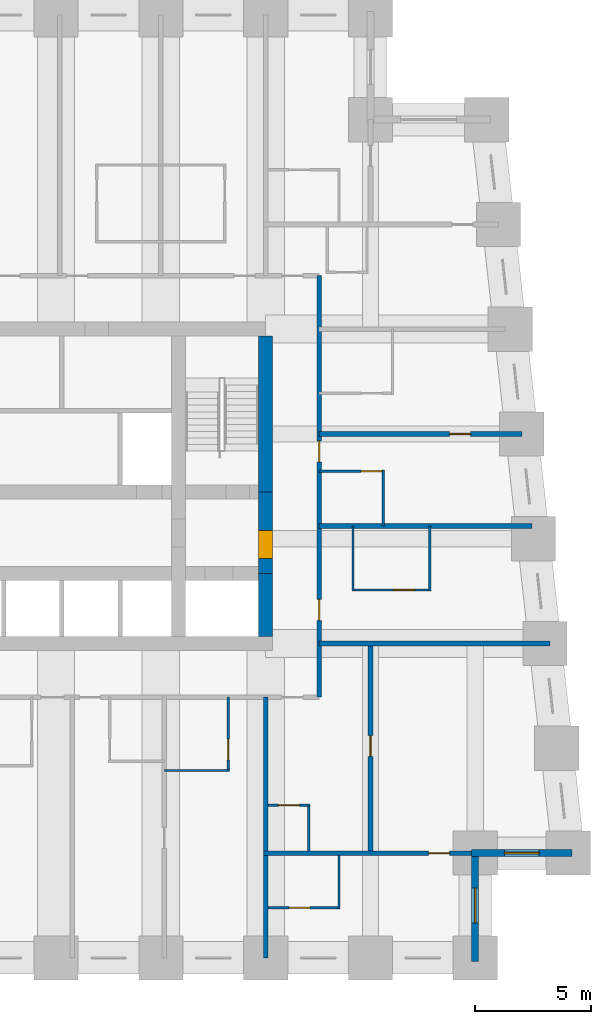
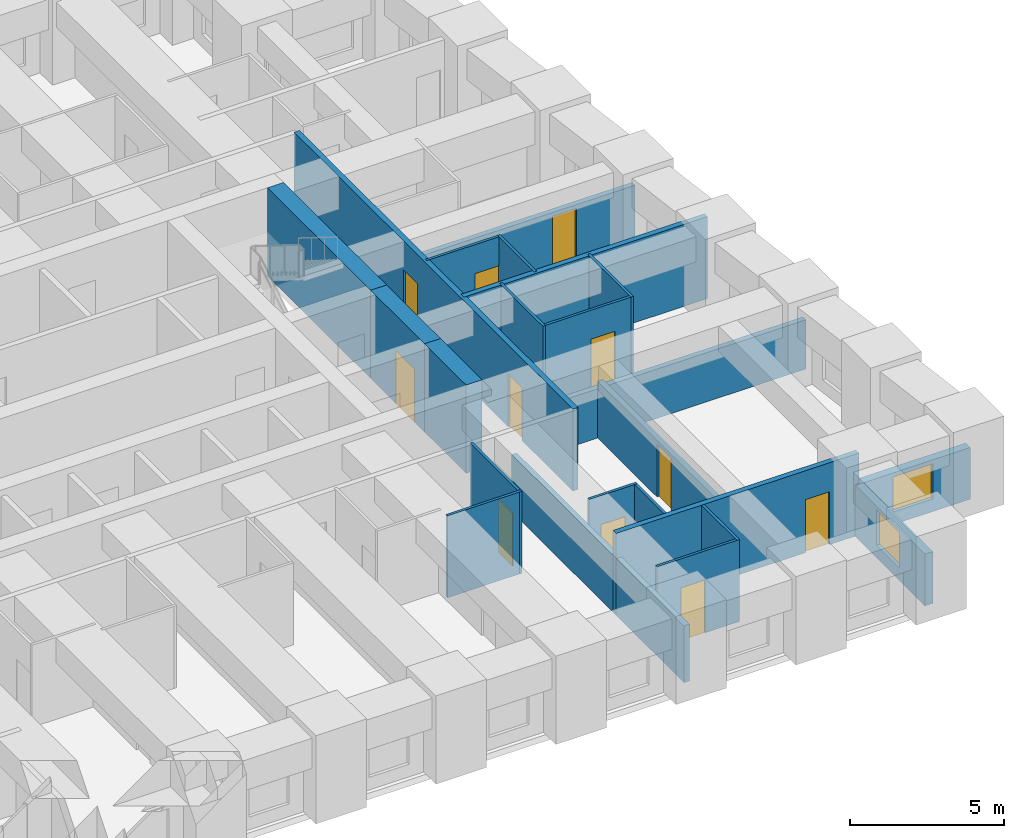
# One storey, part 5 of 8: 23 walls, 11 doors, 2 windows, 13 openings.
"""IFC4 building model written with IfcOpenShell, lengths in metres."""

from ifc_helpers import new_model, si_unit, direction, frame, frame_2d, origin, place, context, subcontext, project, spatial, rectangle, extrude, material, layer, layer_set, type_object, element, fill, save


model = new_model("IFC4")

# Units and contexts
model_context = context("Model", 3, precision=1e-05, world=origin(), true_north=direction((0.0, 1.0)))
body_context = subcontext(model_context, "Body", "Model", "MODEL_VIEW")
ifc_project = project(units=[si_unit("LENGTHUNIT", "METRE"), si_unit("AREAUNIT", "SQUARE_METRE"), si_unit("VOLUMEUNIT", "CUBIC_METRE"), si_unit("PLANEANGLEUNIT", "RADIAN"), si_unit("MASSUNIT", "GRAM", prefix="KILO")], contexts=[model_context])

# Site, building, storey
site_placement = place(None, origin())
site = spatial("IfcSite", under=ifc_project, at=site_placement, CompositionType="ELEMENT")
building_placement = place(site_placement, origin())
building = spatial("IfcBuilding", under=site, at=building_placement, Name="Kilele Tower Hotel", CompositionType="ELEMENT")
storey_placement = place(building_placement, frame((0.0, 0.0, 71.699951171875)))
storey = spatial("IfcBuildingStorey", under=building, at=storey_placement, Name="L17", CompositionType="ELEMENT", Elevation=71.699951171875)

# Wall
ifc_material_1 = material(Name="Moisture-resistant board")
ifc_layer_1 = layer(ifc_material_1, 0.10009765625)
ifc_layer_set_1 = layer_set([ifc_layer_1], Name="Moisture-resistant board")
wall_type_1 = type_object("IfcWallType", Name="Bathroom partition 100", PredefinedType="PLUMBINGWALL", material=ifc_layer_set_1)
wall_1_placement = place(storey_placement, frame((31.64990234375, 8.050048828125, 0.0), z_axis=(0.0, 0.0, 1.0), x_axis=(1.0, 0.0, 0.0)))
element("IfcWall", 1, at=wall_1_placement, inside=storey, type_object=wall_type_1, Name="Bathroom partition 100 L17", PredefinedType="PLUMBINGWALL", context=body_context, shape_type="SweptSolid", body=[
    extrude(rectangle(XDim=2.800048828125, YDim=0.10009765625, at=frame_2d((1.39990234375, 0.0))), origin(), (0.0, 0.0, 1.0), 3.25),
])

# Wall, opening, door
wall_2_placement = place(storey_placement, frame((34.39990234375, 11.199951171875, 0.0), z_axis=(0.0, 0.0, 1.0), x_axis=(0.0, -1.0, 0.0)))
wall_2 = element("IfcWall", 2, at=wall_2_placement, inside=storey, type_object=wall_type_1, Name="Bathroom partition 100 L17", PredefinedType="PLUMBINGWALL", context=body_context, shape_type="SweptSolid", body=[
    extrude(rectangle(XDim=3.199951171875, YDim=0.10009765625, at=frame_2d((1.60009765625, 0.0))), origin(), (0.0, 0.0, 1.0), 3.25),
])
opening_1_placement = place(wall_2_placement, frame((1.800048828125, 0.0, 0.0)))
opening_1 = element("IfcOpeningElement", 3, at=opening_1_placement, cuts=wall_2, Name="Opening D2A", PredefinedType="OPENING", context=body_context, shape_type="SweptSolid", body=[
    extrude(rectangle(XDim=0.89990234375, YDim=2.10009765625, at=frame_2d((0.449951171875, 1.050048828125))), frame((0.0, 0.06005859375, 0.0), z_axis=(0.0, -1.0, 0.0), x_axis=(1.0, 0.0, 0.0)), (0.0, 0.0, 1.0), 0.1201171875),
])
ifc_material_2 = material(Name="Timber door leaf in hardwood frame", Category="wood")
door_type_1 = type_object("IfcDoorType", Name="Bathroom door 900", OperationType="SINGLE_SWING_LEFT", PredefinedType="DOOR", material=ifc_material_2)
door_1_placement = place(opening_1_placement, origin())
door_1 = element("IfcDoor", 4, at=door_1_placement, inside=storey, type_object=door_type_1, Name="Bathroom door 1705B", OperationType="SINGLE_SWING_RIGHT", OverallHeight=2.10009765625, OverallWidth=0.89990234375, PredefinedType="DOOR", context=body_context, shape_type="SweptSolid", body=[
    extrude(rectangle(XDim=0.89990234375, YDim=2.10009765625, at=frame_2d((0.449951171875, 1.050048828125))), frame((0.0, 0.02490234375, 0.0), z_axis=(0.0, -1.0, 0.0), x_axis=(1.0, 0.0, 0.0)), (0.0, 0.0, 1.0), 0.050048828125),
])
fill(opening_1, door_1)

# Walls
for number, where, z_axis, x_axis, name in (
    (5, (39.75, 15.75, 0.0), (0.0, 0.0, 1.0), (0.0, 1.0, 0.0), "Bathroom partition 100 L17"),
    (6, (43.050048828125, 15.75, 0.0), (0.0, 0.0, 1.0), (0.0, 1.0, 0.0), "Bathroom partition 100 L17"),
):
    element("IfcWall", number, at=place(storey_placement, frame(where, z_axis=z_axis, x_axis=x_axis)), inside=storey, type_object=wall_type_1, Name=name, PredefinedType="PLUMBINGWALL", context=body_context, shape_type="SweptSolid", body=[
        extrude(rectangle(XDim=2.800048828125, YDim=0.10009765625, at=frame_2d((1.39990234375, 0.0))), origin(), (0.0, 0.0, 1.0), 3.25),
    ])

# Wall, opening, door
wall_3_placement = place(storey_placement, frame((39.699951171875, 15.800048828125, 0.0), z_axis=(0.0, 0.0, 1.0), x_axis=(1.0, 0.0, 0.0)))
wall_3 = element("IfcWall", 7, at=wall_3_placement, inside=storey, type_object=wall_type_1, Name="Bathroom partition 100 L17", PredefinedType="PLUMBINGWALL", context=body_context, shape_type="SweptSolid", body=[
    extrude(rectangle(XDim=3.400146484375, YDim=0.10009765625, at=frame_2d((1.7001953125, 0.0))), origin(), (0.0, 0.0, 1.0), 3.25),
])
opening_2_placement = place(wall_3_placement, frame((2.699951171875, 0.0, 0.0), z_axis=(0.0, 0.0, 1.0), x_axis=(-1.0, 0.0, 0.0)))
opening_2 = element("IfcOpeningElement", 8, at=opening_2_placement, cuts=wall_3, Name="Opening D2A", PredefinedType="OPENING", context=body_context, shape_type="SweptSolid", body=[
    extrude(rectangle(XDim=0.89990234375, YDim=2.10009765625, at=frame_2d((0.449951171875, 1.050048828125))), frame((0.0, 0.06005859375, 0.0), z_axis=(0.0, -1.0, 0.0), x_axis=(1.0, 0.0, 0.0)), (0.0, 0.0, 1.0), 0.1201171875),
])
door_2_placement = place(opening_2_placement, origin())
door_2 = element("IfcDoor", 9, at=door_2_placement, inside=storey, type_object=door_type_1, Name="Bathroom door 1706B", OperationType="SINGLE_SWING_LEFT", OverallHeight=2.10009765625, OverallWidth=0.89990234375, PredefinedType="DOOR", context=body_context, shape_type="SweptSolid", body=[
    extrude(rectangle(XDim=0.89990234375, YDim=2.10009765625, at=frame_2d((0.449951171875, 1.050048828125))), frame((0.0, 0.02490234375, 0.0), z_axis=(0.0, -1.0, 0.0), x_axis=(1.0, 0.0, 0.0)), (0.0, 0.0, 1.0), 0.050048828125),
])
fill(opening_2, door_2)

# Wall
wall_4_placement = place(storey_placement, frame((41.050048828125, 18.550048828125, 0.0), z_axis=(0.0, 0.0, 1.0), x_axis=(0.0, 1.0, 0.0)))
element("IfcWall", 10, at=wall_4_placement, inside=storey, type_object=wall_type_1, Name="Bathroom partition 100 L17", PredefinedType="PLUMBINGWALL", context=body_context, shape_type="SweptSolid", body=[
    extrude(rectangle(XDim=2.39990234375, YDim=0.10009765625, at=frame_2d((1.199951171875, 0.0))), origin(), (0.0, 0.0, 1.0), 3.25),
])

# Wall, opening, door
wall_5_placement = place(storey_placement, frame((38.300048828125, 20.89990234375, 0.0), z_axis=(0.0, 0.0, 1.0), x_axis=(1.0, 0.0, 0.0)))
wall_5 = element("IfcWall", 11, at=wall_5_placement, inside=storey, type_object=wall_type_1, Name="Bathroom partition 100 L17", PredefinedType="PLUMBINGWALL", context=body_context, shape_type="SweptSolid", body=[
    extrude(rectangle(XDim=2.800048828125, YDim=0.10009765625, at=frame_2d((1.39990234375, 0.0))), origin(), (0.0, 0.0, 1.0), 3.25),
])
opening_3_placement = place(wall_5_placement, frame((1.800048828125, 0.0, 0.0)))
opening_3 = element("IfcOpeningElement", 12, at=opening_3_placement, cuts=wall_5, Name="Opening D2A", PredefinedType="OPENING", context=body_context, shape_type="SweptSolid", body=[
    extrude(rectangle(XDim=0.89990234375, YDim=2.10009765625, at=frame_2d((0.449951171875, 1.050048828125))), frame((0.0, 0.06005859375, 0.0), z_axis=(0.0, -1.0, 0.0), x_axis=(1.0, 0.0, 0.0)), (0.0, 0.0, 1.0), 0.1201171875),
])
door_3_placement = place(opening_3_placement, origin())
door_3 = element("IfcDoor", 13, at=door_3_placement, inside=storey, type_object=door_type_1, Name="Bathroom door 1707B", OperationType="SINGLE_SWING_RIGHT", OverallHeight=2.10009765625, OverallWidth=0.89990234375, PredefinedType="DOOR", context=body_context, shape_type="SweptSolid", body=[
    extrude(rectangle(XDim=0.89990234375, YDim=2.10009765625, at=frame_2d((0.449951171875, 1.050048828125))), frame((0.0, 0.02490234375, 0.0), z_axis=(0.0, -1.0, 0.0), x_axis=(1.0, 0.0, 0.0)), (0.0, 0.0, 1.0), 0.050048828125),
])
fill(opening_3, door_3)

# Wall
wall_6_placement = place(storey_placement, frame((37.85009765625, 4.60009765625, 0.0), z_axis=(0.0, 0.0, 1.0), x_axis=(0.0, 1.0, 0.0)))
element("IfcWall", 14, at=wall_6_placement, inside=storey, type_object=wall_type_1, Name="Bathroom partition 100 L17", PredefinedType="PLUMBINGWALL", context=body_context, shape_type="SweptSolid", body=[
    extrude(rectangle(XDim=2.0, YDim=0.10009765625, at=frame_2d((1.0, 0.0))), origin(), (0.0, 0.0, 1.0), 3.25),
])

# Wall, opening, door
wall_7_placement = place(storey_placement, frame((36.10009765625, 6.550048828125, 0.0), z_axis=(0.0, 0.0, 1.0), x_axis=(1.0, 0.0, 0.0)))
wall_7 = element("IfcWall", 15, at=wall_7_placement, inside=storey, type_object=wall_type_1, Name="Bathroom partition 100 L17", PredefinedType="PLUMBINGWALL", context=body_context, shape_type="SweptSolid", body=[
    extrude(rectangle(XDim=1.7998046875, YDim=0.10009765625, at=frame_2d((0.89990234375, 0.0))), origin(), (0.0, 0.0, 1.0), 3.25),
])
opening_4_placement = place(wall_7_placement, frame((0.449951171875, 0.0, 0.0)))
opening_4 = element("IfcOpeningElement", 16, at=opening_4_placement, cuts=wall_7, Name="Opening D2A", PredefinedType="OPENING", context=body_context, shape_type="SweptSolid", body=[
    extrude(rectangle(XDim=0.89990234375, YDim=2.10009765625, at=frame_2d((0.449951171875, 1.050048828125))), frame((0.0, 0.06005859375, 0.0), z_axis=(0.0, -1.0, 0.0), x_axis=(1.0, 0.0, 0.0)), (0.0, 0.0, 1.0), 0.1201171875),
])
door_4_placement = place(opening_4_placement, origin())
door_4 = element("IfcDoor", 17, at=door_4_placement, inside=storey, type_object=door_type_1, Name="Bathroom door 1720P", OperationType="SINGLE_SWING_LEFT", OverallHeight=2.10009765625, OverallWidth=0.89990234375, PredefinedType="DOOR", context=body_context, shape_type="SweptSolid", body=[
    extrude(rectangle(XDim=0.89990234375, YDim=2.10009765625, at=frame_2d((0.449951171875, 1.050048828125))), frame((0.0, 0.02490234375, 0.0), z_axis=(0.0, -1.0, 0.0), x_axis=(1.0, 0.0, 0.0)), (0.0, 0.0, 1.0), 0.050048828125),
])
fill(opening_4, door_4)

# Wall
wall_8_placement = place(storey_placement, frame((39.14990234375, 4.39990234375, 0.0), z_axis=(0.0, 0.0, 1.0), x_axis=(0.0, -1.0, 0.0)))
element("IfcWall", 18, at=wall_8_placement, inside=storey, type_object=wall_type_1, Name="Bathroom partition 100 L17", PredefinedType="PLUMBINGWALL", context=body_context, shape_type="SweptSolid", body=[
    extrude(rectangle(XDim=2.2998046875, YDim=0.10009765625, at=frame_2d((1.14990234375, 0.0))), origin(), (0.0, 0.0, 1.0), 3.25),
])

# Wall, opening, door
wall_9_placement = place(storey_placement, frame((36.10009765625, 2.14990234375, 0.0), z_axis=(0.0, 0.0, 1.0), x_axis=(1.0, 0.0, 0.0)))
wall_9 = element("IfcWall", 19, at=wall_9_placement, inside=storey, type_object=wall_type_1, Name="Bathroom partition 100 L17", PredefinedType="PLUMBINGWALL", context=body_context, shape_type="SweptSolid", body=[
    extrude(rectangle(XDim=3.099853515625, YDim=0.10009765625, at=frame_2d((1.5498046875, 0.0))), origin(), (0.0, 0.0, 1.0), 3.25),
])
opening_5_placement = place(wall_9_placement, frame((1.7998046875, 0.0, 0.0), z_axis=(0.0, 0.0, 1.0), x_axis=(-1.0, 0.0, 0.0)))
opening_5 = element("IfcOpeningElement", 20, at=opening_5_placement, cuts=wall_9, Name="Opening D2A", PredefinedType="OPENING", context=body_context, shape_type="SweptSolid", body=[
    extrude(rectangle(XDim=0.89990234375, YDim=2.10009765625, at=frame_2d((0.449951171875, 1.050048828125))), frame((0.0, 0.06005859375, 0.0), z_axis=(0.0, -1.0, 0.0), x_axis=(1.0, 0.0, 0.0)), (0.0, 0.0, 1.0), 0.1201171875),
])
door_5_placement = place(opening_5_placement, origin())
door_5 = element("IfcDoor", 21, at=door_5_placement, inside=storey, type_object=door_type_1, Name="Bathroom door 1722B", OperationType="SINGLE_SWING_RIGHT", OverallHeight=2.10009765625, OverallWidth=0.89990234375, PredefinedType="DOOR", context=body_context, shape_type="SweptSolid", body=[
    extrude(rectangle(XDim=0.89990234375, YDim=2.10009765625, at=frame_2d((0.449951171875, 1.050048828125))), frame((0.0, 0.02490234375, 0.0), z_axis=(0.0, -1.0, 0.0), x_axis=(1.0, 0.0, 0.0)), (0.0, 0.0, 1.0), 0.050048828125),
])
fill(opening_5, door_5)

# Wall
ifc_material_3 = material(Name="Concrete C60/75", Category="concrete")
ifc_layer_2 = layer(ifc_material_3, 0.60009765625)
ifc_layer_set_2 = layer_set([ifc_layer_2], Name="Concrete C60/75")
wall_type_2 = type_object("IfcWallType", Name="Core wall 600 C60/75", PredefinedType="SHEAR", material=ifc_layer_set_2)
wall_10_placement = place(storey_placement, frame((36.0, 13.800048828125, 0.0), z_axis=(0.0, 0.0, 1.0), x_axis=(0.0, 1.0, 0.0)))
element("IfcWall", 22, at=wall_10_placement, inside=storey, type_object=wall_type_2, Name="Core wall E1 L17", PredefinedType="SHEAR", context=body_context, shape_type="SweptSolid", body=[
    extrude(rectangle(XDim=2.699951171875, YDim=0.60009765625, at=frame_2d((1.35009765625, 0.0))), origin(), (0.0, 0.0, 1.0), 3.5),
])

# Wall, opening, door
wall_11_placement = place(storey_placement, frame((36.0, 16.5, 0.0), z_axis=(0.0, 0.0, 1.0), x_axis=(0.0, 1.0, 0.0)))
wall_11 = element("IfcWall", 23, at=wall_11_placement, inside=storey, type_object=wall_type_2, Name="Core wall E2 L17", PredefinedType="SHEAR", context=body_context, shape_type="SweptSolid", body=[
    extrude(rectangle(XDim=3.5, YDim=0.60009765625, at=frame_2d((1.75, 0.0))), origin(), (0.0, 0.0, 1.0), 3.5),
])
opening_6_placement = place(wall_11_placement, frame((0.64990234375, 0.0, 0.0)))
opening_6 = element("IfcOpeningElement", 24, at=opening_6_placement, cuts=wall_11, Name="Opening D4", PredefinedType="OPENING", context=body_context, shape_type="SweptSolid", body=[
    extrude(rectangle(XDim=1.199951171875, YDim=2.10009765625, at=frame_2d((0.60009765625, 1.050048828125))), frame((0.0, 0.31005859375, 0.0), z_axis=(0.0, -1.0, 0.0), x_axis=(1.0, 0.0, 0.0)), (0.0, 0.0, 1.0), 0.6201171875),
])
ifc_material_4 = material(Name="Timber door leaf in hardwood frame", Category="wood")
door_type_2 = type_object("IfcDoorType", Name="Firefighting lobby door 1200", OperationType="SINGLE_SWING_LEFT", PredefinedType="DOOR", material=ifc_material_4)
door_6_placement = place(opening_6_placement, origin())
door_6 = element("IfcDoor", 25, at=door_6_placement, inside=storey, type_object=door_type_2, Name="Lobby door L17", OperationType="SINGLE_SWING_LEFT", OverallHeight=2.10009765625, OverallWidth=1.199951171875, PredefinedType="DOOR", context=body_context, shape_type="SweptSolid", body=[
    extrude(rectangle(XDim=1.199951171875, YDim=2.10009765625, at=frame_2d((0.60009765625, 1.050048828125))), frame((0.0, 0.2998046875, 0.0), z_axis=(0.0, -1.0, 0.0), x_axis=(1.0, 0.0, 0.0)), (0.0, 0.0, 1.0), 0.599609375),
])
fill(opening_6, door_6)

# Wall
wall_12_placement = place(storey_placement, frame((36.0, 20.0, 0.0), z_axis=(0.0, 0.0, 1.0), x_axis=(0.0, 1.0, 0.0)))
element("IfcWall", 26, at=wall_12_placement, inside=storey, type_object=wall_type_2, Name="Core wall E3 L17", PredefinedType="SHEAR", context=body_context, shape_type="SweptSolid", body=[
    extrude(rectangle(XDim=6.699951171875, YDim=0.60009765625, at=frame_2d((3.35009765625, 0.0))), origin(), (0.0, 0.0, 1.0), 3.5),
])

# Wall, openings, doors
ifc_material_5 = material(Name="Blockwork, plastered both sides", Category="masonry")
ifc_layer_3 = layer(ifc_material_5, 0.199951171875)
ifc_layer_set_3 = layer_set([ifc_layer_3], Name="Blockwork, plastered both sides")
wall_type_3 = type_object("IfcWallType", Name="Corridor wall 200", PredefinedType="PARTITIONING", material=ifc_layer_set_3)
wall_13_placement = place(storey_placement, frame((38.300048828125, 11.199951171875, 0.0), z_axis=(0.0, 0.0, 1.0), x_axis=(0.0, 1.0, 0.0)))
wall_13 = element("IfcWall", 27, at=wall_13_placement, inside=storey, type_object=wall_type_3, Name="Corridor wall 200 L17", PredefinedType="PARTITIONING", context=body_context, shape_type="SweptSolid", body=[
    extrude(rectangle(XDim=18.10009765625, YDim=0.199951171875, at=frame_2d((9.050048828125, 0.0))), origin(), (0.0, 0.0, 1.0), 3.25),
])
opening_7_placement = place(wall_13_placement, frame((4.199951171875, 0.0, 0.0), z_axis=(0.0, 0.0, 1.0), x_axis=(-1.0, 0.0, 0.0)))
opening_7 = element("IfcOpeningElement", 28, at=opening_7_placement, cuts=wall_13, Name="Opening D1", PredefinedType="OPENING", context=body_context, shape_type="SweptSolid", body=[
    extrude(rectangle(XDim=0.89990234375, YDim=2.10009765625, at=frame_2d((0.449951171875, 1.050048828125))), frame((0.0, 0.10986328125, 0.0), z_axis=(0.0, -1.0, 0.0), x_axis=(1.0, 0.0, 0.0)), (0.0, 0.0, 1.0), 0.219970703125),
])
opening_8_placement = place(wall_13_placement, frame((11.0, 0.0, 0.0), z_axis=(0.0, 0.0, 1.0), x_axis=(-1.0, 0.0, 0.0)))
opening_8 = element("IfcOpeningElement", 29, at=opening_8_placement, cuts=wall_13, Name="Opening D1", PredefinedType="OPENING", context=body_context, shape_type="SweptSolid", body=[
    extrude(rectangle(XDim=0.89990234375, YDim=2.10009765625, at=frame_2d((0.449951171875, 1.050048828125))), frame((0.0, 0.10986328125, 0.0), z_axis=(0.0, -1.0, 0.0), x_axis=(1.0, 0.0, 0.0)), (0.0, 0.0, 1.0), 0.219970703125),
])
ifc_material_6 = material(Name="Timber door leaf in hardwood frame", Category="wood")
door_type_3 = type_object("IfcDoorType", Name="Guest room entrance door 900", OperationType="SINGLE_SWING_LEFT", PredefinedType="DOOR", material=ifc_material_6)
door_7_placement = place(opening_7_placement, origin())
door_7 = element("IfcDoor", 30, at=door_7_placement, inside=storey, type_object=door_type_3, Name="Room entrance 1706", OperationType="SINGLE_SWING_RIGHT", OverallHeight=2.10009765625, OverallWidth=0.89990234375, PredefinedType="DOOR", context=body_context, shape_type="SweptSolid", body=[
    extrude(rectangle(XDim=0.89990234375, YDim=2.10009765625, at=frame_2d((0.449951171875, 1.050048828125))), frame((0.0, 0.02490234375, 0.0), z_axis=(0.0, -1.0, 0.0), x_axis=(1.0, 0.0, 0.0)), (0.0, 0.0, 1.0), 0.050048828125),
])
fill(opening_7, door_7)
door_8_placement = place(opening_8_placement, origin())
door_8 = element("IfcDoor", 31, at=door_8_placement, inside=storey, type_object=door_type_3, Name="Room entrance 1707", OperationType="SINGLE_SWING_LEFT", OverallHeight=2.10009765625, OverallWidth=0.89990234375, PredefinedType="DOOR", context=body_context, shape_type="SweptSolid", body=[
    extrude(rectangle(XDim=0.89990234375, YDim=2.10009765625, at=frame_2d((0.449951171875, 1.050048828125))), frame((0.0, 0.02490234375, 0.0), z_axis=(0.0, -1.0, 0.0), x_axis=(1.0, 0.0, 0.0)), (0.0, 0.0, 1.0), 0.050048828125),
])
fill(opening_8, door_8)

# Wall, opening, door
ifc_material_7 = material(Name="Blockwork, plastered both sides", Category="masonry")
ifc_layer_4 = layer(ifc_material_7, 0.199951171875)
ifc_layer_set_4 = layer_set([ifc_layer_4], Name="Blockwork, plastered both sides")
wall_type_4 = type_object("IfcWallType", Name="Partition wall 200", PredefinedType="PARTITIONING", material=ifc_layer_set_4)
wall_14_placement = place(storey_placement, frame((40.5, 4.60009765625, 0.0), z_axis=(0.0, 0.0, 1.0), x_axis=(0.0, 1.0, 0.0)))
wall_14 = element("IfcWall", 32, at=wall_14_placement, inside=storey, type_object=wall_type_4, Name="Partition wall 200 L17", PredefinedType="PARTITIONING", context=body_context, shape_type="SweptSolid", body=[
    extrude(rectangle(XDim=8.7998046875, YDim=0.199951171875, at=frame_2d((4.39990234375, 0.0))), origin(), (0.0, 0.0, 1.0), 2.25),
])
opening_9_placement = place(wall_14_placement, frame((4.050048828125, 0.0, 0.0)))
opening_9 = element("IfcOpeningElement", 33, at=opening_9_placement, cuts=wall_14, Name="Opening D3", PredefinedType="OPENING", context=body_context, shape_type="SweptSolid", body=[
    extrude(rectangle(XDim=0.89990234375, YDim=2.10009765625, at=frame_2d((0.449951171875, 1.050048828125))), frame((0.0, 0.10986328125, 0.0), z_axis=(0.0, -1.0, 0.0), x_axis=(1.0, 0.0, 0.0)), (0.0, 0.0, 1.0), 0.219970703125),
])
ifc_material_8 = material(Name="Timber door leaf in hardwood frame", Category="wood")
door_type_4 = type_object("IfcDoorType", Name="Suite internal door 900", OperationType="SINGLE_SWING_LEFT", PredefinedType="DOOR", material=ifc_material_8)
door_9_placement = place(opening_9_placement, origin())
door_9 = element("IfcDoor", 34, at=door_9_placement, inside=storey, type_object=door_type_4, Name="Suite door 1721", OperationType="SINGLE_SWING_RIGHT", OverallHeight=2.10009765625, OverallWidth=0.89990234375, PredefinedType="DOOR", context=body_context, shape_type="SweptSolid", body=[
    extrude(rectangle(XDim=0.89990234375, YDim=2.10009765625, at=frame_2d((0.449951171875, 1.050048828125))), frame((0.0, 0.02490234375, 0.0), z_axis=(0.0, -1.0, 0.0), x_axis=(1.0, 0.0, 0.0)), (0.0, 0.0, 1.0), 0.050048828125),
])
fill(opening_9, door_9)

# Wall
ifc_material_9 = material(Name="Blockwork, plastered both sides", Category="masonry")
ifc_layer_5 = layer(ifc_material_9, 0.199951171875)
ifc_layer_set_5 = layer_set([ifc_layer_5], Name="Blockwork, plastered both sides")
wall_type_5 = type_object("IfcWallType", Name="Party wall 200", PredefinedType="PARTITIONING", material=ifc_layer_set_5)
wall_15_placement = place(storey_placement, frame((38.300048828125, 18.550048828125, 0.0), z_axis=(0.0, 0.0, 1.0), x_axis=(1.0, 0.0, 0.0)))
element("IfcWall", 35, at=wall_15_placement, inside=storey, type_object=wall_type_5, Name="Party wall 200 L17", PredefinedType="PARTITIONING", context=body_context, shape_type="SweptSolid", body=[
    extrude(rectangle(XDim=9.137939453125, YDim=0.199951171875, at=frame_2d((4.56884765625, 0.0))), origin(), (0.0, 0.0, 1.0), 3.25),
])

# Wall, opening, door
wall_16_placement = place(storey_placement, frame((38.300048828125, 22.5, 0.0), z_axis=(0.0, 0.0, 1.0), x_axis=(1.0, 0.0, 0.0)))
wall_16 = element("IfcWall", 36, at=wall_16_placement, inside=storey, type_object=wall_type_5, Name="Party wall 200 L17", PredefinedType="PARTITIONING", context=body_context, shape_type="SweptSolid", body=[
    extrude(rectangle(XDim=8.698974609375, YDim=0.199951171875, at=frame_2d((4.349609375, 0.0))), origin(), (0.0, 0.0, 1.0), 2.25),
])
opening_10_placement = place(wall_16_placement, frame((5.60009765625, 0.0, 0.0)))
opening_10 = element("IfcOpeningElement", 37, at=opening_10_placement, cuts=wall_16, Name="Opening D3", PredefinedType="OPENING", context=body_context, shape_type="SweptSolid", body=[
    extrude(rectangle(XDim=0.89990234375, YDim=2.10009765625, at=frame_2d((0.449951171875, 1.050048828125))), frame((0.0, 0.10986328125, 0.0), z_axis=(0.0, -1.0, 0.0), x_axis=(1.0, 0.0, 0.0)), (0.0, 0.0, 1.0), 0.219970703125),
])
door_10_placement = place(opening_10_placement, origin())
door_10 = element("IfcDoor", 38, at=door_10_placement, inside=storey, type_object=door_type_4, Name="Suite door 1708", OperationType="SINGLE_SWING_RIGHT", OverallHeight=2.10009765625, OverallWidth=0.89990234375, PredefinedType="DOOR", context=body_context, shape_type="SweptSolid", body=[
    extrude(rectangle(XDim=0.89990234375, YDim=2.10009765625, at=frame_2d((0.449951171875, 1.050048828125))), frame((0.0, 0.02490234375, 0.0), z_axis=(0.0, -1.0, 0.0), x_axis=(1.0, 0.0, 0.0)), (0.0, 0.0, 1.0), 0.050048828125),
])
fill(opening_10, door_10)

# Walls
wall_17_placement = place(storey_placement, frame((38.300048828125, 13.5, 0.0), z_axis=(0.0, 0.0, 1.0), x_axis=(1.0, 0.0, 0.0)))
element("IfcWall", 39, at=wall_17_placement, inside=storey, type_object=wall_type_5, Name="Party wall 200 L17", PredefinedType="PARTITIONING", context=body_context, shape_type="SweptSolid", body=[
    extrude(rectangle(XDim=9.921142578125, YDim=0.199951171875, at=frame_2d((4.96044921875, 0.0))), origin(), (0.0, 0.0, 1.0), 1.949951171875),
])
wall_18_placement = place(storey_placement, frame((36.0, 11.199951171875, 0.0), z_axis=(0.0, 0.0, 1.0), x_axis=(0.0, -1.0, 0.0)))
element("IfcWall", 40, at=wall_18_placement, inside=storey, type_object=wall_type_5, Name="Party wall 200 L17", PredefinedType="PARTITIONING", context=body_context, shape_type="SweptSolid", body=[
    extrude(rectangle(XDim=11.199951171875, YDim=0.199951171875, at=frame_2d((5.60009765625, 0.0))), origin(), (0.0, 0.0, 1.0), 2.25),
])

# Wall, opening, door
wall_19_placement = place(storey_placement, frame((35.89990234375, 4.5, 0.0), z_axis=(0.0, 0.0, 1.0), x_axis=(1.0, 0.0, 0.0)))
wall_19 = element("IfcWall", 41, at=wall_19_placement, inside=storey, type_object=wall_type_5, Name="Party wall 200 L17", PredefinedType="PARTITIONING", context=body_context, shape_type="SweptSolid", body=[
    extrude(rectangle(XDim=9.10009765625, YDim=0.199951171875, at=frame_2d((4.550048828125, 0.0))), origin(), (0.0, 0.0, 1.0), 3.25),
])
opening_11_placement = place(wall_19_placement, frame((7.10009765625, 0.0, 0.0)))
opening_11 = element("IfcOpeningElement", 42, at=opening_11_placement, cuts=wall_19, Name="Opening D3", PredefinedType="OPENING", context=body_context, shape_type="SweptSolid", body=[
    extrude(rectangle(XDim=0.89990234375, YDim=2.10009765625, at=frame_2d((0.449951171875, 1.050048828125))), frame((0.0, 0.10986328125, 0.0), z_axis=(0.0, -1.0, 0.0), x_axis=(1.0, 0.0, 0.0)), (0.0, 0.0, 1.0), 0.219970703125),
])
door_11_placement = place(opening_11_placement, origin())
door_11 = element("IfcDoor", 43, at=door_11_placement, inside=storey, type_object=door_type_4, Name="Suite door 1722", OperationType="SINGLE_SWING_RIGHT", OverallHeight=2.10009765625, OverallWidth=0.89990234375, PredefinedType="DOOR", context=body_context, shape_type="SweptSolid", body=[
    extrude(rectangle(XDim=0.89990234375, YDim=2.10009765625, at=frame_2d((0.449951171875, 1.050048828125))), frame((0.0, 0.02490234375, 0.0), z_axis=(0.0, -1.0, 0.0), x_axis=(1.0, 0.0, 0.0)), (0.0, 0.0, 1.0), 0.050048828125),
])
fill(opening_11, door_11)

# Wall, opening, window
ifc_material_10 = material(Name="Concrete C40/50 precast", Category="concrete")
ifc_layer_6 = layer(ifc_material_10, 0.260009765625, Name="Precast backing", Category="LoadBearing")
ifc_material_11 = material(Name="Reconstituted stone finish", Category="masonry")
ifc_layer_7 = layer(ifc_material_11, 0.0400390625, Name="Face mix", Category="Finish")
ifc_layer_set_6 = layer_set([ifc_layer_6, ifc_layer_7], Name="Precast concrete C40/50, reconstituted stone finish")
wall_type_6 = type_object("IfcWallType", Name="Precast stone facade wall 300", PredefinedType="STANDARD", material=ifc_layer_set_6)
wall_20_placement = place(storey_placement, frame((45.0, -0.14990234375, 0.0), z_axis=(0.0, 0.0, 1.0), x_axis=(0.0, 1.0, 0.0)))
wall_20 = element("IfcWall", 44, at=wall_20_placement, inside=storey, type_object=wall_type_6, Name="Facade wall L17 edge 4", PredefinedType="STANDARD", context=body_context, shape_type="SweptSolid", body=[
    extrude(rectangle(XDim=4.7998046875, YDim=0.300048828125, at=frame_2d((2.39990234375, 0.0))), origin(), (0.0, 0.0, 1.0), 2.050048828125),
])
opening_12_placement = place(wall_20_placement, frame((1.64990234375, 0.0, 0.5)))
opening_12 = element("IfcOpeningElement", 45, at=opening_12_placement, cuts=wall_20, Name="Opening W1", PredefinedType="OPENING", context=body_context, shape_type="SweptSolid", body=[
    extrude(rectangle(XDim=1.5, YDim=1.39990234375, at=frame_2d((0.75, 0.699951171875))), frame((0.0, 0.159912109375, 0.0), z_axis=(0.0, -1.0, 0.0), x_axis=(1.0, 0.0, 0.0)), (0.0, 0.0, 1.0), 0.320068359375),
])
ifc_material_12 = material(Name="Aluminium frame, clear double glazing", Category="aluminium")
window_type = type_object("IfcWindowType", Name="Window W1 1500 x 1400", PartitioningType="SINGLE_PANEL", PredefinedType="WINDOW", material=ifc_material_12)
window_1_placement = place(opening_12_placement, origin())
window_1 = element("IfcWindow", 46, at=window_1_placement, inside=storey, type_object=window_type, Name="Window L17", OverallHeight=1.39990234375, OverallWidth=1.5, PartitioningType="SINGLE_PANEL", PredefinedType="WINDOW", context=body_context, shape_type="SweptSolid", body=[
    extrude(rectangle(XDim=1.5, YDim=1.39990234375, at=frame_2d((0.75, 0.699951171875))), frame((0.0, 0.030029296875, 0.0), z_axis=(0.0, -1.0, 0.0), x_axis=(1.0, 0.0, 0.0)), (0.0, 0.0, 1.0), 0.06005859375),
])
fill(opening_12, window_1)

wall_21_placement = place(storey_placement, frame((44.85009765625, 4.5, 0.0), z_axis=(0.0, 0.0, 1.0), x_axis=(1.0, 0.0, 0.0)))
wall_21 = element("IfcWall", 47, at=wall_21_placement, inside=storey, type_object=wall_type_6, Name="Facade wall L17 edge 5", PredefinedType="STANDARD", context=body_context, shape_type="SweptSolid", body=[
    extrude(rectangle(XDim=4.2998046875, YDim=0.300048828125, at=frame_2d((2.14990234375, 0.0))), origin(), (0.0, 0.0, 1.0), 2.050048828125),
])
opening_13_placement = place(wall_21_placement, frame((1.39990234375, 0.0, 0.5)))
opening_13 = element("IfcOpeningElement", 48, at=opening_13_placement, cuts=wall_21, Name="Opening W1", PredefinedType="OPENING", context=body_context, shape_type="SweptSolid", body=[
    extrude(rectangle(XDim=1.5, YDim=1.39990234375, at=frame_2d((0.75, 0.699951171875))), frame((0.0, 0.159912109375, 0.0), z_axis=(0.0, -1.0, 0.0), x_axis=(1.0, 0.0, 0.0)), (0.0, 0.0, 1.0), 0.320068359375),
])
window_2_placement = place(opening_13_placement, origin())
window_2 = element("IfcWindow", 49, at=window_2_placement, inside=storey, type_object=window_type, Name="Window L17", OverallHeight=1.39990234375, OverallWidth=1.5, PartitioningType="SINGLE_PANEL", PredefinedType="WINDOW", context=body_context, shape_type="SweptSolid", body=[
    extrude(rectangle(XDim=1.5, YDim=1.39990234375, at=frame_2d((0.75, 0.699951171875))), frame((0.0, 0.030029296875, 0.0), z_axis=(0.0, -1.0, 0.0), x_axis=(1.0, 0.0, 0.0)), (0.0, 0.0, 1.0), 0.06005859375),
])
fill(opening_13, window_2)

save(model, "model.ifc")
